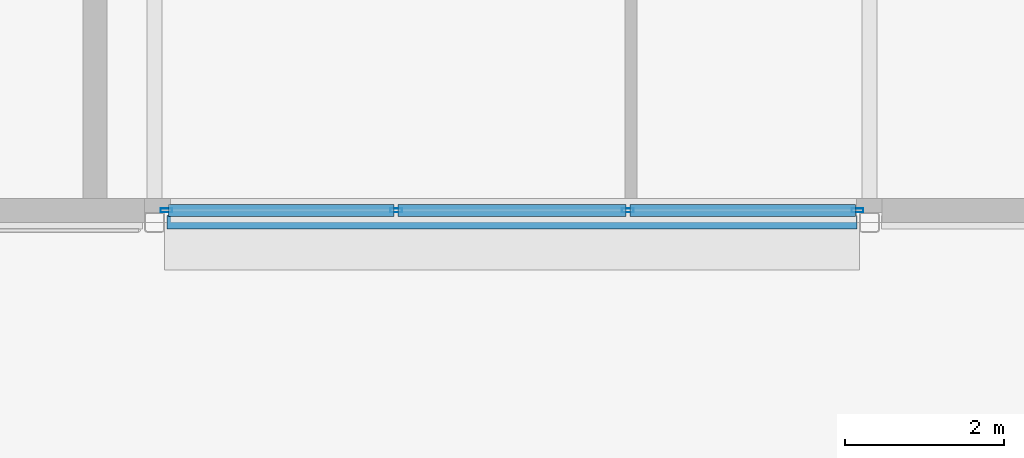
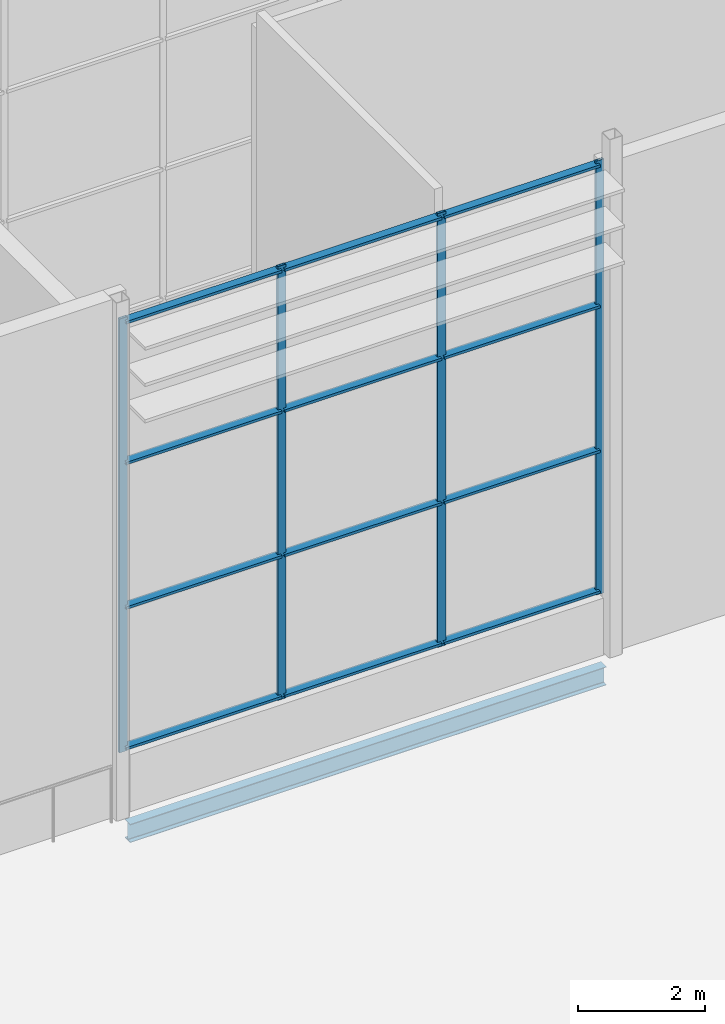
# One storey, part 13 of 111: 16 members, 1 beam, 1 element without a shape of its own.
"""IFC4 building model written with IfcOpenShell, lengths in metres."""

import ifcopenshell
import ifcopenshell.guid

model = None  # the IFC model being written
_history = None  # IfcOwnerHistory: only IFC2X3 demands one
_inside = {}  # id of a spatial element -> (the spatial element, [elements in it])
_under = {}  # id of a project, library or spatial element -> (it, [spatial elements below it])
_declared = {}  # id of a project -> (the project, [libraries it declares])
_typed = {}  # id of a type object -> (the type object, [elements of that type])
_made_of = {}  # id of a material, layer set ... -> (it, [elements and type objects made of it])


def new_model(schema):
    """Start an empty IFC model of exactly this schema.

    Asked for "IFC4X3", IfcOpenShell would pick the latest addendum, in which some entities
    have other attributes; the version numbers below select the first issue.
    IFC2X3 requires an IfcOwnerHistory on every rooted entity: one is made here for all.
    """
    global model, _history
    if schema == "IFC4X3":
        model = ifcopenshell.file(schema_version=(4, 3, 0, 0))
    else:
        model = ifcopenshell.file(schema=schema)
    _inside.clear()
    _under.clear()
    _declared.clear()
    _typed.clear()
    _made_of.clear()
    _history = None
    if model.schema == "IFC2X3":
        org = make("IfcOrganization", Name="unknown")
        user = make(
            "IfcPersonAndOrganization",
            ThePerson=make("IfcPerson", FamilyName="unknown"),
            TheOrganization=org,
        )
        app = make(
            "IfcApplication",
            ApplicationDeveloper=org,
            Version="unknown",
            ApplicationFullName="unknown",
            ApplicationIdentifier="unknown",
        )
        _history = make(
            "IfcOwnerHistory",
            OwningUser=user,
            OwningApplication=app,
            ChangeAction="ADDED",
            CreationDate=0,
        )
    return model


def make(cls, **values):
    """One entity of the class cls with the attributes given. An attribute that is None is left unset."""
    return model.create_entity(
        cls, **{name: value for name, value in values.items() if value is not None}
    )


def rooted(cls, **values):
    """An entity with a GlobalId (a new one), such as an element, a storey or a relation."""
    return make(cls, GlobalId=ifcopenshell.guid.new(), OwnerHistory=_history, **values)


def si_unit(unit_type, name, prefix=None):
    """IfcSIUnit, for example si_unit("LENGTHUNIT", "METRE", prefix="MILLI")."""
    return make("IfcSIUnit", UnitType=unit_type, Prefix=prefix, Name=name)


def assignment(units):
    """IfcUnitAssignment: the units of a project."""
    return None if units is None else make("IfcUnitAssignment", Units=units)


def point(xyz):
    """IfcCartesianPoint."""
    return None if xyz is None else make("IfcCartesianPoint", Coordinates=xyz)


def direction(xyz):
    """IfcDirection."""
    return None if xyz is None else make("IfcDirection", DirectionRatios=xyz)


def frame(location, z_axis=None, x_axis=None):
    """IfcAxis2Placement3D, a coordinate frame: its origin and axes. An axis left out is left unset."""
    return make(
        "IfcAxis2Placement3D",
        Location=point(location),
        Axis=direction(z_axis),
        RefDirection=direction(x_axis),
    )


def frame_2d(location, x_axis=None):
    """IfcAxis2Placement2D, a coordinate frame in the plane: its origin and x axis."""
    return make(
        "IfcAxis2Placement2D", Location=point(location), RefDirection=direction(x_axis)
    )


def origin():
    """The frame at (0, 0, 0) with its axes left unset."""
    return frame((0.0, 0.0, 0.0))


def origin_2d():
    """The frame at (0, 0) in the plane with its x axis left unset."""
    return frame_2d((0.0, 0.0))


def place(relative_to, where):
    """IfcLocalPlacement: puts the frame where relative to a parent placement (None: the world)."""
    return make(
        "IfcLocalPlacement", PlacementRelTo=relative_to, RelativePlacement=where
    )


def context(
    kind, dimensions, precision=None, world=None, true_north=None, identifier=None
):
    """IfcGeometricRepresentationContext, for example the 3D "Model" context."""
    return make(
        "IfcGeometricRepresentationContext",
        ContextIdentifier=identifier,
        ContextType=kind,
        CoordinateSpaceDimension=dimensions,
        Precision=precision,
        WorldCoordinateSystem=world,
        TrueNorth=true_north,
    )


def subcontext(parent, identifier, kind, view, scale=None):
    """IfcGeometricRepresentationSubContext, for example "Body" below "Model"."""
    return make(
        "IfcGeometricRepresentationSubContext",
        ContextIdentifier=identifier,
        ContextType=kind,
        ParentContext=parent,
        TargetScale=scale,
        TargetView=view,
    )


def project(units=None, contexts=None):
    """IfcProject with its units and contexts."""
    return rooted(
        "IfcProject",
        Name="project",
        RepresentationContexts=contexts,
        UnitsInContext=assignment(units),
    )


def spatial(cls, under=None, at=None, **own):
    """A site, building, storey or space (cls), placed at a placement, below another one or the project."""
    s = rooted(cls, ObjectPlacement=at, **own)
    if under is not None:
        _under.setdefault(under.id(), (under, []))[1].append(s)
    return s


def profile(cls, at=None, kind="AREA", **sizes):
    """A parametric profile (cls). Its sizes go by their IFC names, for example OverallWidth=200.0."""
    return make(cls, ProfileType=kind, Position=at, **sizes)


def hollow_rectangle(**sizes):
    """IfcRectangleHollowProfileDef."""
    return profile("IfcRectangleHollowProfileDef", **sizes)


def i_section(**sizes):
    """IfcIShapeProfileDef."""
    return profile("IfcIShapeProfileDef", **sizes)


def extrude(swept, where, along, depth):
    """IfcExtrudedAreaSolid: the profile swept, set in the frame where, extruded along a direction by depth."""
    return make(
        "IfcExtrudedAreaSolid",
        SweptArea=swept,
        Position=where,
        ExtrudedDirection=direction(along),
        Depth=depth,
    )


def shape(context_of_items, identifier, shape_type, items):
    """IfcShapeRepresentation: the items that make up one representation, for example the "Body"."""
    return make(
        "IfcShapeRepresentation",
        ContextOfItems=context_of_items,
        RepresentationIdentifier=identifier,
        RepresentationType=shape_type,
        Items=items,
    )


def material(Name=None, Category=None):
    """IfcMaterial."""
    return make("IfcMaterial", Name=Name, Category=Category)


def layer(
    of_material, thickness, ventilated=None, Name=None, Category=None, Priority=None
):
    """IfcMaterialLayer: one layer of a wall or slab, of a material (None: an air gap)."""
    return make(
        "IfcMaterialLayer",
        Material=of_material,
        LayerThickness=thickness,
        IsVentilated=ventilated,
        Name=Name,
        Category=Category,
        Priority=Priority,
    )


def layer_set(layers, Name=None):
    """IfcMaterialLayerSet."""
    return make("IfcMaterialLayerSet", MaterialLayers=layers, LayerSetName=Name)


def material_profile(
    of_material, cross_section, Name=None, Category=None, Priority=None
):
    """IfcMaterialProfile: a cross section and its material."""
    return make(
        "IfcMaterialProfile",
        Name=Name,
        Material=of_material,
        Profile=cross_section,
        Priority=Priority,
        Category=Category,
    )


def profile_set(profiles, Name=None, composite=None):
    """IfcMaterialProfileSet."""
    return make(
        "IfcMaterialProfileSet",
        Name=Name,
        MaterialProfiles=profiles,
        CompositeProfile=composite,
    )


def made_of(thing, what):
    """Note that an element or type object is made of a material, layer set ...; save() writes the relation."""
    if what is not None:
        _made_of.setdefault(what.id(), (what, []))[1].append(thing)
    return thing


def type_object(cls, material=None, **own):
    """A type object (cls), such as IfcWallType, which elements share."""
    return made_of(rooted(cls, **own), material)


def element(
    cls,
    number,
    at=None,
    inside=None,
    cuts=None,
    type_object=None,
    material=None,
    context=None,
    identifier="Body",
    shape_type=None,
    held_by="IfcProductDefinitionShape",
    body=None,
    shapes=None,
    **own,
):
    """One element of the class cls, such as IfcWall. Its Tag is "e" and its number.

    at: its placement. inside: the storey or other place that contains it. cuts: it is an
    opening in that element (IfcRelVoidsElement). A single representation is given by context,
    identifier, shape_type and body (its items); several are given by shapes. held_by: the class
    of the entity that holds the representations. save() writes the other relations.
    """
    e = rooted(cls, Tag="e%d" % number, ObjectPlacement=at, **own)
    if body is not None:
        shapes = [shape(context, identifier, shape_type, body)]
    if shapes is not None:
        e.Representation = make(held_by, Representations=shapes)
    if inside is not None:
        _inside.setdefault(inside.id(), (inside, []))[1].append(e)
    if cuts is not None:
        rooted(
            "IfcRelVoidsElement", RelatingBuildingElement=cuts, RelatedOpeningElement=e
        )
    if type_object is not None:
        _typed.setdefault(type_object.id(), (type_object, []))[1].append(e)
    return made_of(e, material)


def aggregate(whole, parts):
    """IfcRelAggregates: a whole, such as a stair, and the parts it consists of."""
    return rooted("IfcRelAggregates", RelatingObject=whole, RelatedObjects=parts)


def save(model, path):
    """Write the relations noted so far, then the file.

    IfcRelAggregates (storeys below a building ...), IfcRelContainedInSpatialStructure (elements
    in a storey), IfcRelDefinesByType, IfcRelAssociatesMaterial and IfcRelDeclares: one each for
    every whole, place, type object, material and project.
    """
    for whole, parts in _under.values():
        aggregate(whole, parts)
    for where, things in _inside.values():
        rooted(
            "IfcRelContainedInSpatialStructure",
            RelatedElements=things,
            RelatingStructure=where,
        )
    for kind, things in _typed.values():
        rooted("IfcRelDefinesByType", RelatedObjects=things, RelatingType=kind)
    for what, things in _made_of.values():
        rooted("IfcRelAssociatesMaterial", RelatedObjects=things, RelatingMaterial=what)
    for by, libraries in _declared.values():
        rooted("IfcRelDeclares", RelatingContext=by, RelatedDefinitions=libraries)
    model.write(path)


model = new_model("IFC4")

# Units and contexts
model_context = context("Model", 3, precision=1e-05, world=origin(), true_north=direction((0.0, 1.0)))
body_context = subcontext(model_context, "Body", "Model", "MODEL_VIEW")
ifc_project = project(units=[si_unit("LENGTHUNIT", "METRE"), si_unit("AREAUNIT", "SQUARE_METRE"), si_unit("VOLUMEUNIT", "CUBIC_METRE"), si_unit("PLANEANGLEUNIT", "RADIAN"), si_unit("MASSUNIT", "GRAM", prefix="KILO")], contexts=[model_context])

# Site, building, storey
site_placement = place(None, origin())
site = spatial("IfcSite", under=ifc_project, at=site_placement, CompositionType="ELEMENT")
building_placement = place(site_placement, origin())
building = spatial("IfcBuilding", under=site, at=building_placement, Name="Shorebreak Coast Museum", CompositionType="ELEMENT")
storey_placement = place(building_placement, frame((0.0, 0.0, 16.0)))
storey = spatial("IfcBuildingStorey", under=building, at=storey_placement, Name="L03", CompositionType="ELEMENT", Elevation=16.0)

# Beam
ifc_material_1 = material(Name="Steel Grade 300", Category="steel")
ifc_material_profile_1 = material_profile(ifc_material_1, i_section(OverallWidth=0.1708984375, OverallDepth=0.355712890625, WebThickness=0.00732421875, FlangeThickness=0.011474609375, FilletRadius=0.011474609375, at=origin_2d()), Name="360UB50.7")
ifc_profile_set_1 = profile_set([ifc_material_profile_1], Name="Steel Grade 300")
beam_type = type_object("IfcBeamType", Name="Floor girder east-west 360UB50.7", PredefinedType="BEAM", material=ifc_profile_set_1)
beam_placement = place(storey_placement, frame((63.153564453125, 54.0, -0.352783203125), z_axis=(1.0, 0.0, 0.0), x_axis=(0.0, 1.0, 0.0)))
element("IfcBeam", 1, at=beam_placement, inside=storey, type_object=beam_type, Name="Floor girder east-west L03 8G", PredefinedType="BEAM", context=body_context, shape_type="SweptSolid", body=[
    extrude(i_section(OverallWidth=0.1708984375, OverallDepth=0.355712890625, WebThickness=0.00732421875, FlangeThickness=0.011474609375, FilletRadius=0.011474609375, at=origin_2d()), origin(), (0.0, 0.0, 1.0), 8.69287109375),
])

# Curtain wall, members
ifc_material_2 = material(Name="Aluminium", Category="aluminium")
ifc_layer = layer(ifc_material_2, 0.14990234375)
ifc_layer_set = layer_set([ifc_layer], Name="Aluminium")
curtain_wall_type = type_object("IfcCurtainWallType", Name="Storefront curtain wall", PredefinedType="NOTDEFINED", material=ifc_layer_set)
curtain_wall_placement = place(storey_placement, origin())
curtain_wall = element("IfcCurtainWall", 2, at=curtain_wall_placement, inside=storey, type_object=curtain_wall_type, Name="Atrium Hall glazing L03 S 1", PredefinedType="NOTDEFINED")
ifc_material_3 = material(Name="Aluminium", Category="aluminium")
ifc_material_profile_2 = material_profile(ifc_material_3, hollow_rectangle(XDim=0.050048828125, YDim=0.14990234375, WallThickness=0.00390625, at=origin_2d()), Name="AL 150x50 RHS")
ifc_profile_set_2 = profile_set([ifc_material_profile_2], Name="Aluminium")
member_type_1 = type_object("IfcMemberType", Name="Storefront mullion 50 x 150", PredefinedType="MULLION", material=ifc_profile_set_2)
member_1_placement = place(storey_placement, frame((63.14990234375, 54.14990234375, 1.10009765625), z_axis=(0.0, 0.0, 1.0), x_axis=(0.0, 1.0, 0.0)))
member_1 = element("IfcMember", 3, at=member_1_placement, type_object=member_type_1, Name="CW5 mullion 1", PredefinedType="MULLION", context=body_context, shape_type="SweptSolid", body=[
    extrude(hollow_rectangle(XDim=0.050048828125, YDim=0.14990234375, WallThickness=0.00390625, at=origin_2d()), origin(), (0.0, 0.0, 1.0), 8.372802734375),
])
member_2_placement = place(storey_placement, frame((66.041748046875, 54.14990234375, 1.10009765625), z_axis=(0.0, 0.0, 1.0), x_axis=(0.0, 1.0, 0.0)))
member_2 = element("IfcMember", 4, at=member_2_placement, type_object=member_type_1, Name="CW5 mullion 2", PredefinedType="MULLION", context=body_context, shape_type="SweptSolid", body=[
    extrude(hollow_rectangle(XDim=0.050048828125, YDim=0.14990234375, WallThickness=0.00390625, at=origin_2d()), origin(), (0.0, 0.0, 1.0), 8.372802734375),
])
member_3_placement = place(storey_placement, frame((68.958251953125, 54.14990234375, 1.10009765625), z_axis=(0.0, 0.0, 1.0), x_axis=(0.0, 1.0, 0.0)))
member_3 = element("IfcMember", 5, at=member_3_placement, type_object=member_type_1, Name="CW5 mullion 3", PredefinedType="MULLION", context=body_context, shape_type="SweptSolid", body=[
    extrude(hollow_rectangle(XDim=0.050048828125, YDim=0.14990234375, WallThickness=0.00390625, at=origin_2d()), origin(), (0.0, 0.0, 1.0), 8.372802734375),
])
member_4_placement = place(storey_placement, frame((71.85009765625, 54.14990234375, 1.10009765625), z_axis=(0.0, 0.0, 1.0), x_axis=(0.0, 1.0, 0.0)))
member_4 = element("IfcMember", 6, at=member_4_placement, type_object=member_type_1, Name="CW5 mullion 4", PredefinedType="MULLION", context=body_context, shape_type="SweptSolid", body=[
    extrude(hollow_rectangle(XDim=0.050048828125, YDim=0.14990234375, WallThickness=0.00390625, at=origin_2d()), origin(), (0.0, 0.0, 1.0), 8.372802734375),
])
ifc_material_4 = material(Name="Aluminium", Category="aluminium")
ifc_material_profile_3 = material_profile(ifc_material_4, hollow_rectangle(XDim=0.14990234375, YDim=0.050048828125, WallThickness=0.00390625, at=origin_2d()), Name="AL 50x150 RHS")
ifc_profile_set_3 = profile_set([ifc_material_profile_3], Name="Aluminium")
member_type_2 = type_object("IfcMemberType", Name="Storefront transom 150 x 50", PredefinedType="USERDEFINED", material=ifc_profile_set_3)
member_5_placement = place(storey_placement, frame((63.175048828125, 54.14990234375, 1.175048828125), z_axis=(1.0, 0.0, 0.0), x_axis=(0.0, 1.0, 0.0)))
member_5 = element("IfcMember", 7, at=member_5_placement, type_object=member_type_2, Name="CW5 transom 1.1", ObjectType="TRANSOM", PredefinedType="USERDEFINED", context=body_context, shape_type="SweptSolid", body=[
    extrude(hollow_rectangle(XDim=0.14990234375, YDim=0.050048828125, WallThickness=0.00390625, at=origin_2d()), origin(), (0.0, 0.0, 1.0), 2.841552734375),
])
member_6_placement = place(storey_placement, frame((63.175048828125, 54.14990234375, 3.89111328125), z_axis=(1.0, 0.0, 0.0), x_axis=(0.0, 1.0, 0.0)))
member_6 = element("IfcMember", 8, at=member_6_placement, type_object=member_type_2, Name="CW5 transom 1.2", ObjectType="TRANSOM", PredefinedType="USERDEFINED", context=body_context, shape_type="SweptSolid", body=[
    extrude(hollow_rectangle(XDim=0.14990234375, YDim=0.050048828125, WallThickness=0.00390625, at=origin_2d()), origin(), (0.0, 0.0, 1.0), 2.841552734375),
])
member_7_placement = place(storey_placement, frame((63.175048828125, 54.14990234375, 6.681884765625), z_axis=(1.0, 0.0, 0.0), x_axis=(0.0, 1.0, 0.0)))
member_7 = element("IfcMember", 9, at=member_7_placement, type_object=member_type_2, Name="CW5 transom 1.3", ObjectType="TRANSOM", PredefinedType="USERDEFINED", context=body_context, shape_type="SweptSolid", body=[
    extrude(hollow_rectangle(XDim=0.14990234375, YDim=0.050048828125, WallThickness=0.00390625, at=origin_2d()), origin(), (0.0, 0.0, 1.0), 2.841552734375),
])
member_8_placement = place(storey_placement, frame((63.175048828125, 54.14990234375, 9.39794921875), z_axis=(1.0, 0.0, 0.0), x_axis=(0.0, 1.0, 0.0)))
member_8 = element("IfcMember", 10, at=member_8_placement, type_object=member_type_2, Name="CW5 transom 1.4", ObjectType="TRANSOM", PredefinedType="USERDEFINED", context=body_context, shape_type="SweptSolid", body=[
    extrude(hollow_rectangle(XDim=0.14990234375, YDim=0.050048828125, WallThickness=0.00390625, at=origin_2d()), origin(), (0.0, 0.0, 1.0), 2.841552734375),
])
member_9_placement = place(storey_placement, frame((66.066650390625, 54.14990234375, 1.175048828125), z_axis=(1.0, 0.0, 0.0), x_axis=(0.0, 1.0, 0.0)))
member_9 = element("IfcMember", 11, at=member_9_placement, type_object=member_type_2, Name="CW5 transom 2.1", ObjectType="TRANSOM", PredefinedType="USERDEFINED", context=body_context, shape_type="SweptSolid", body=[
    extrude(hollow_rectangle(XDim=0.14990234375, YDim=0.050048828125, WallThickness=0.00390625, at=origin_2d()), origin(), (0.0, 0.0, 1.0), 2.86669921875),
])
member_10_placement = place(storey_placement, frame((66.066650390625, 54.14990234375, 3.89111328125), z_axis=(1.0, 0.0, 0.0), x_axis=(0.0, 1.0, 0.0)))
member_10 = element("IfcMember", 12, at=member_10_placement, type_object=member_type_2, Name="CW5 transom 2.2", ObjectType="TRANSOM", PredefinedType="USERDEFINED", context=body_context, shape_type="SweptSolid", body=[
    extrude(hollow_rectangle(XDim=0.14990234375, YDim=0.050048828125, WallThickness=0.00390625, at=origin_2d()), origin(), (0.0, 0.0, 1.0), 2.86669921875),
])
member_11_placement = place(storey_placement, frame((66.066650390625, 54.14990234375, 6.681884765625), z_axis=(1.0, 0.0, 0.0), x_axis=(0.0, 1.0, 0.0)))
member_11 = element("IfcMember", 13, at=member_11_placement, type_object=member_type_2, Name="CW5 transom 2.3", ObjectType="TRANSOM", PredefinedType="USERDEFINED", context=body_context, shape_type="SweptSolid", body=[
    extrude(hollow_rectangle(XDim=0.14990234375, YDim=0.050048828125, WallThickness=0.00390625, at=origin_2d()), origin(), (0.0, 0.0, 1.0), 2.86669921875),
])
member_12_placement = place(storey_placement, frame((66.066650390625, 54.14990234375, 9.39794921875), z_axis=(1.0, 0.0, 0.0), x_axis=(0.0, 1.0, 0.0)))
member_12 = element("IfcMember", 14, at=member_12_placement, type_object=member_type_2, Name="CW5 transom 2.4", ObjectType="TRANSOM", PredefinedType="USERDEFINED", context=body_context, shape_type="SweptSolid", body=[
    extrude(hollow_rectangle(XDim=0.14990234375, YDim=0.050048828125, WallThickness=0.00390625, at=origin_2d()), origin(), (0.0, 0.0, 1.0), 2.86669921875),
])
member_13_placement = place(storey_placement, frame((68.9833984375, 54.14990234375, 1.175048828125), z_axis=(1.0, 0.0, 0.0), x_axis=(0.0, 1.0, 0.0)))
member_13 = element("IfcMember", 15, at=member_13_placement, type_object=member_type_2, Name="CW5 transom 3.1", ObjectType="TRANSOM", PredefinedType="USERDEFINED", context=body_context, shape_type="SweptSolid", body=[
    extrude(hollow_rectangle(XDim=0.14990234375, YDim=0.050048828125, WallThickness=0.00390625, at=origin_2d()), origin(), (0.0, 0.0, 1.0), 2.841552734375),
])
member_14_placement = place(storey_placement, frame((68.9833984375, 54.14990234375, 3.89111328125), z_axis=(1.0, 0.0, 0.0), x_axis=(0.0, 1.0, 0.0)))
member_14 = element("IfcMember", 16, at=member_14_placement, type_object=member_type_2, Name="CW5 transom 3.2", ObjectType="TRANSOM", PredefinedType="USERDEFINED", context=body_context, shape_type="SweptSolid", body=[
    extrude(hollow_rectangle(XDim=0.14990234375, YDim=0.050048828125, WallThickness=0.00390625, at=origin_2d()), origin(), (0.0, 0.0, 1.0), 2.841552734375),
])
member_15_placement = place(storey_placement, frame((68.9833984375, 54.14990234375, 6.681884765625), z_axis=(1.0, 0.0, 0.0), x_axis=(0.0, 1.0, 0.0)))
member_15 = element("IfcMember", 17, at=member_15_placement, type_object=member_type_2, Name="CW5 transom 3.3", ObjectType="TRANSOM", PredefinedType="USERDEFINED", context=body_context, shape_type="SweptSolid", body=[
    extrude(hollow_rectangle(XDim=0.14990234375, YDim=0.050048828125, WallThickness=0.00390625, at=origin_2d()), origin(), (0.0, 0.0, 1.0), 2.841552734375),
])
member_16_placement = place(storey_placement, frame((68.9833984375, 54.14990234375, 9.39794921875), z_axis=(1.0, 0.0, 0.0), x_axis=(0.0, 1.0, 0.0)))
member_16 = element("IfcMember", 18, at=member_16_placement, type_object=member_type_2, Name="CW5 transom 3.4", ObjectType="TRANSOM", PredefinedType="USERDEFINED", context=body_context, shape_type="SweptSolid", body=[
    extrude(hollow_rectangle(XDim=0.14990234375, YDim=0.050048828125, WallThickness=0.00390625, at=origin_2d()), origin(), (0.0, 0.0, 1.0), 2.841552734375),
])
aggregate(curtain_wall, [member_1, member_2, member_3, member_4, member_5, member_6, member_7, member_8, member_9, member_10, member_11, member_12, member_13, member_14, member_15, member_16])

save(model, "model.ifc")
